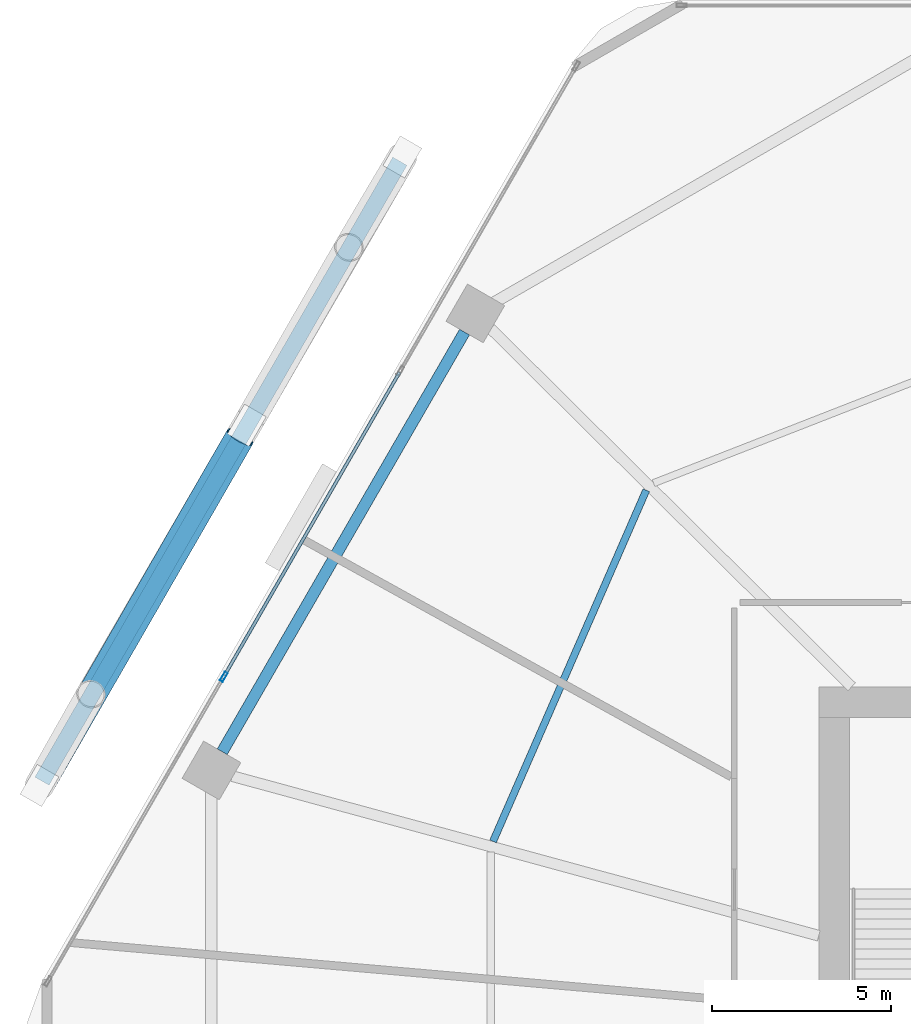
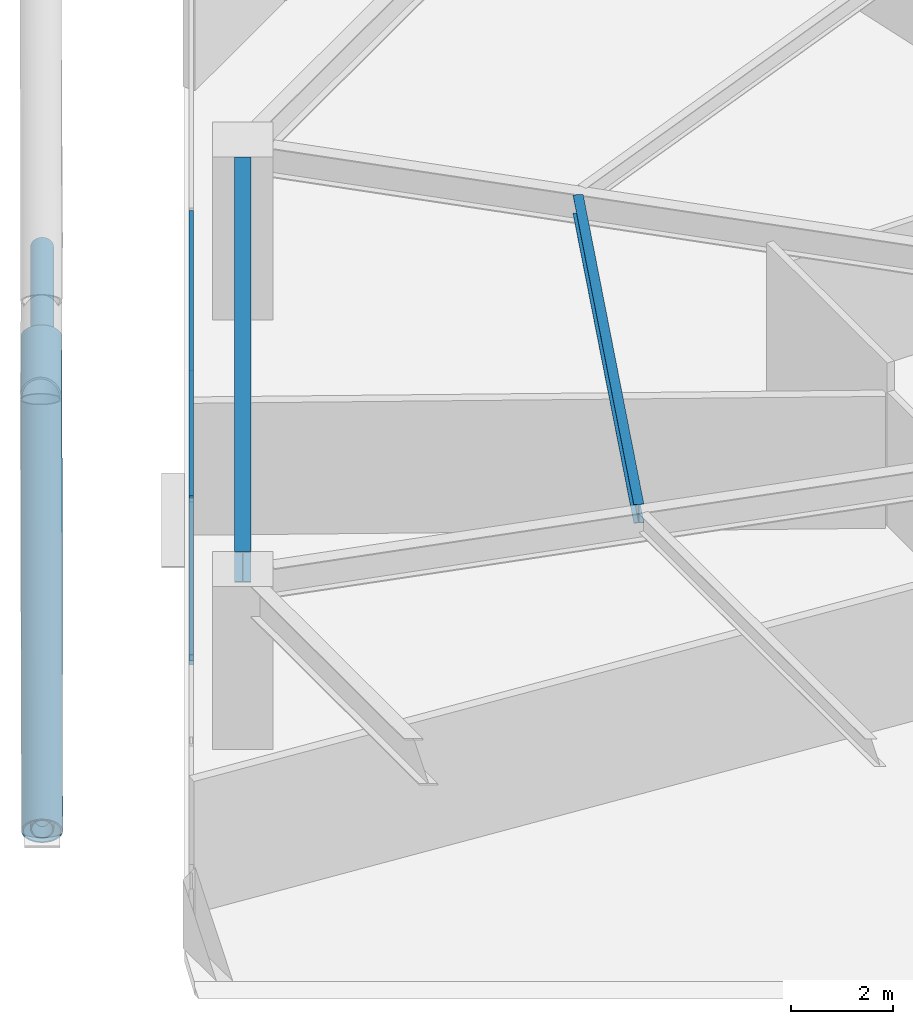
# One storey, part 14 of 30: 5 members, 2 beams, 1 element without a shape of its own.
"""IFC4 building model written with IfcOpenShell, lengths in metres."""

from ifc_helpers import new_model, si_unit, direction, frame, origin, origin_2d, place, context, subcontext, project, spatial, hollow_rectangle, hollow_circle, i_section, extrude, material, material_profile, profile_set, type_object, element, aggregate, save


model = new_model("IFC4")

# Units and contexts
model_context = context("Model", 3, precision=1e-05, world=origin(), true_north=direction((0.0, 1.0)))
body_context = subcontext(model_context, "Body", "Model", "MODEL_VIEW")
ifc_project = project(units=[si_unit("LENGTHUNIT", "METRE"), si_unit("AREAUNIT", "SQUARE_METRE"), si_unit("VOLUMEUNIT", "CUBIC_METRE"), si_unit("PLANEANGLEUNIT", "RADIAN"), si_unit("MASSUNIT", "GRAM", prefix="KILO")], contexts=[model_context])

# Site, building, storey
site_placement = place(None, origin())
site = spatial("IfcSite", under=ifc_project, at=site_placement, CompositionType="ELEMENT")
building_placement = place(site_placement, origin())
building = spatial("IfcBuilding", under=site, at=building_placement, Name="Zuhravey Tower", CompositionType="ELEMENT")
storey_placement = place(building_placement, frame((0.0, 0.0, 58.199951171875)))
storey = spatial("IfcBuildingStorey", under=building, at=storey_placement, Name="L14", CompositionType="ELEMENT", Elevation=58.199951171875)

# Curtain wall, members
ifc_material_1 = material(Name="Thermally broken anodised aluminium", Category="aluminium")
curtain_wall_type = type_object("IfcCurtainWallType", Name="School Low-E Unitised Curtain Wall CW1", PredefinedType="NOTDEFINED", material=ifc_material_1)
curtain_wall_placement = place(storey_placement, origin())
curtain_wall = element("IfcCurtainWall", 1, at=curtain_wall_placement, inside=storey, type_object=curtain_wall_type, Name="L14 CW1 CW-L14-F3-1", PredefinedType="NOTDEFINED")
ifc_material_2 = material(Name="Anodised aluminium", Category="aluminium")
ifc_material_profile_1 = material_profile(ifc_material_2, hollow_rectangle(XDim=0.090087890625, YDim=0.284912109375, WallThickness=0.0048828125, at=origin_2d()), Name="ALU-RHS-90x285x5")
ifc_profile_set_1 = profile_set([ifc_material_profile_1], Name="Anodised aluminium")
member_type_1 = type_object("IfcMemberType", Name="Curtain-Wall Mullion 90x180", PredefinedType="MULLION", material=ifc_profile_set_1)
member_1_placement = place(storey_placement, frame((8.45458984375, 42.20703125, 0.0), z_axis=(0.0, 0.0, 1.0), x_axis=(-0.86602552265, 0.499999794119, 0.0)))
member_1 = element("IfcMember", 2, at=member_1_placement, type_object=member_type_1, Name="CW1 mullion 2", PredefinedType="MULLION", context=body_context, shape_type="SweptSolid", body=[
    extrude(hollow_rectangle(XDim=0.090087890625, YDim=0.284912109375, WallThickness=0.0048828125, at=origin_2d()), origin(), (0.0, 0.0, 1.0), 3.920166015625),
])
ifc_material_profile_2 = material_profile(ifc_material_2, hollow_rectangle(XDim=0.090087890625, YDim=0.14990234375, WallThickness=0.0048828125, at=origin_2d()), Name="ALU-RHS-90x150x5")
ifc_profile_set_2 = profile_set([ifc_material_profile_2], Name="Anodised aluminium")
member_type_2 = type_object("IfcMemberType", Name="Curtain-Wall Transom 90x150", PredefinedType="USERDEFINED", material=ifc_profile_set_2)
member_2_placement = place(storey_placement, frame((8.47705078125, 42.245849609375, 0.045166015625), z_axis=(0.499990498062, 0.866030889661, 0.0), x_axis=(-0.866030889661, 0.499990498062, 0.0)))
member_2 = element("IfcMember", 3, at=member_2_placement, type_object=member_type_2, Name="CW1 transom 2.1", ObjectType="TRANSOM", PredefinedType="USERDEFINED", context=body_context, shape_type="SweptSolid", body=[
    extrude(hollow_rectangle(XDim=0.090087890625, YDim=0.14990234375, WallThickness=0.0048828125, at=origin_2d()), origin(), (0.0, 0.0, 1.0), 9.776611328125),
])
member_3_placement = place(storey_placement, frame((8.47705078125, 42.245849609375, 3.875), z_axis=(0.499990498062, 0.866030889661, 0.0), x_axis=(-0.866030889661, 0.499990498062, 0.0)))
member_3 = element("IfcMember", 4, at=member_3_placement, type_object=member_type_2, Name="CW1 transom 2.2", ObjectType="TRANSOM", PredefinedType="USERDEFINED", context=body_context, shape_type="SweptSolid", body=[
    extrude(hollow_rectangle(XDim=0.090087890625, YDim=0.14990234375, WallThickness=0.0048828125, at=origin_2d()), origin(), (0.0, 0.0, 1.0), 9.776611328125),
])
aggregate(curtain_wall, [member_1, member_2, member_3])

# Members
ifc_material_3 = material(Name="Steel SM355", Category="steel")
ifc_material_profile_3 = material_profile(ifc_material_3, hollow_circle(Radius=0.228515625, WallThickness=0.02197265625, at=origin_2d()), Name="CHS-457.2x22")
ifc_profile_set_3 = profile_set([ifc_material_profile_3], Name="Steel SM355")
member_type_3 = type_object("IfcMemberType", Name="Exoskeleton Ring Tie CHS457x22", PredefinedType="CHORD", material=ifc_profile_set_3)
member_4_placement = place(storey_placement, frame((13.37353515625, 56.606689453125, -0.493896484375), z_axis=(-0.500001503855, -0.866024535532, 0.0), x_axis=(0.866024535532, -0.500001503855, 0.0)))
element("IfcMember", 5, at=member_4_placement, inside=storey, type_object=member_type_3, Name="L14 Exoskeleton Face 3 Tie EXR1", PredefinedType="CHORD", context=body_context, shape_type="SweptSolid", body=[
    extrude(hollow_circle(Radius=0.228515625, WallThickness=0.02197265625, at=origin_2d()), origin(), (0.0, 0.0, 1.0), 19.99365234375),
])
ifc_material_4 = material(Name="Steel SM460", Category="steel")
ifc_material_profile_4 = material_profile(ifc_material_4, hollow_circle(Radius=0.406494140625, WallThickness=0.035888671875, at=origin_2d()), Name="CHS-812.8x36")
ifc_profile_set_4 = profile_set([ifc_material_profile_4], Name="Steel SM460")
member_type_4 = type_object("IfcMemberType", Name="Exoskeleton Zone 1 Diagrid CHS813x36", PredefinedType="BRACE", material=ifc_profile_set_4)
member_5_placement = place(storey_placement, frame((3.330322265625, 39.211669921875, -0.476806640625), z_axis=(0.469125442839, 0.814967460755, 0.34021957144), x_axis=(-0.866667631609, 0.49888597527, 0.0)))
element("IfcMember", 6, at=member_5_placement, inside=storey, type_object=member_type_4, Name="L14 Face 3 Split Diagrid Brace 3A", PredefinedType="BRACE", context=body_context, shape_type="SweptSolid", body=[
    extrude(hollow_circle(Radius=0.406494140625, WallThickness=0.035888671875, at=origin_2d()), origin(), (0.0, 0.0, 1.0), 11.897705078125),
])

# Beams
ifc_material_profile_5 = material_profile(ifc_material_3, i_section(OverallWidth=0.320068359375, OverallDepth=0.75, WebThickness=0.013916015625, FlangeThickness=0.02490234375, at=origin_2d()), Name="H-750x320x14x25")
ifc_profile_set_5 = profile_set([ifc_material_profile_5], Name="Steel SM355")
beam_type_1 = type_object("IfcBeamType", Name="Perimeter Ring Beam H750x320", PredefinedType="BEAM", material=ifc_profile_set_5)
beam_1_placement = place(storey_placement, frame((15.179443359375, 51.834716796875, 3.545166015625), z_axis=(-0.499999877243, -0.866025474658, 0.0), x_axis=(0.866025474658, -0.499999877243, 0.0)))
element("IfcBeam", 7, at=beam_1_placement, inside=storey, type_object=beam_type_1, Name="L14 PB1 BM-L14-PB-05", PredefinedType="BEAM", context=body_context, shape_type="SweptSolid", body=[
    extrude(i_section(OverallWidth=0.320068359375, OverallDepth=0.75, WebThickness=0.013916015625, FlangeThickness=0.02490234375, at=origin_2d()), origin(), (0.0, 0.0, 1.0), 13.5341796875),
])
ifc_material_profile_6 = material_profile(ifc_material_3, i_section(OverallWidth=0.199951171875, OverallDepth=0.449951171875, WebThickness=0.009033203125, FlangeThickness=0.013916015625, at=origin_2d()), Name="H-450x200x9x14")
ifc_profile_set_6 = profile_set([ifc_material_profile_6], Name="Steel SM355")
beam_type_2 = type_object("IfcBeamType", Name="Secondary Floor Joist H450x200", PredefinedType="JOIST", material=ifc_profile_set_6)
beam_2_placement = place(storey_placement, frame((20.2548828125, 47.41845703125, 3.695068359375), z_axis=(-0.399923551578, -0.916548500022, 0.0), x_axis=(0.916548500022, -0.399923551578, 0.0)))
element("IfcBeam", 8, at=beam_2_placement, inside=storey, type_object=beam_type_2, Name="L14 SJ1 BM-L14-SJ-05-1", PredefinedType="JOIST", context=body_context, shape_type="SweptSolid", body=[
    extrude(i_section(OverallWidth=0.199951171875, OverallDepth=0.449951171875, WebThickness=0.009033203125, FlangeThickness=0.013916015625, at=origin_2d()), origin(), (0.0, 0.0, 1.0), 10.70263671875),
])

save(model, "model.ifc")
